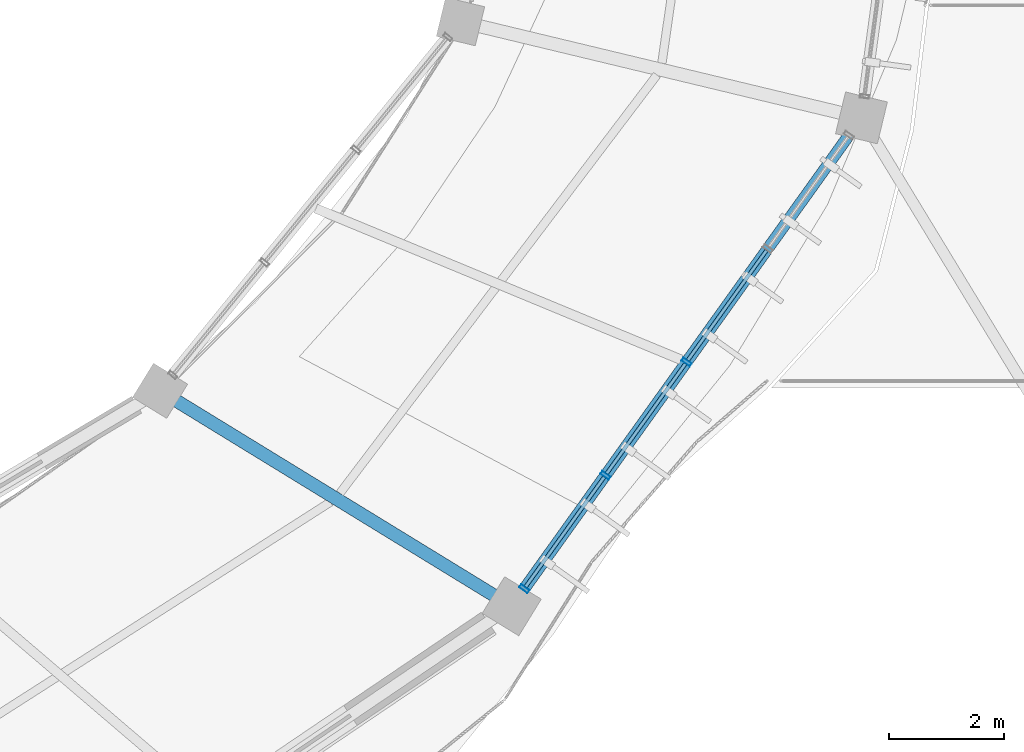
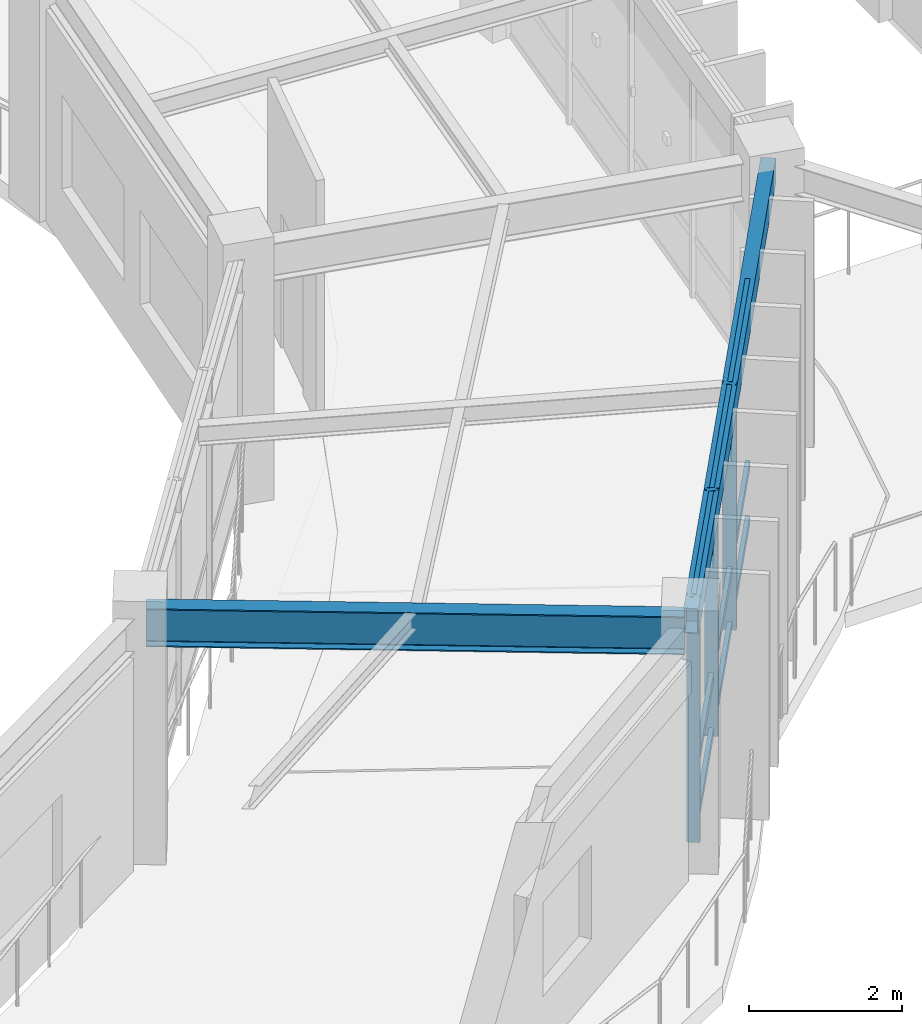
# One storey, part 94 of 152: 12 members, 2 beams, 1 element without a shape of its own.
"""IFC4 building model written with IfcOpenShell, lengths in metres."""

from ifc_helpers import new_model, si_unit, direction, frame, origin, origin_2d, place, context, subcontext, project, spatial, hollow_rectangle, i_section, extrude, material, material_profile, profile_set, type_object, element, aggregate, save


model = new_model("IFC4")

# Units and contexts
model_context = context("Model", 3, precision=1e-05, world=origin(), true_north=direction((0.0, 1.0)))
body_context = subcontext(model_context, "Body", "Model", "MODEL_VIEW")
ifc_project = project(units=[si_unit("LENGTHUNIT", "METRE"), si_unit("AREAUNIT", "SQUARE_METRE"), si_unit("VOLUMEUNIT", "CUBIC_METRE"), si_unit("PLANEANGLEUNIT", "RADIAN"), si_unit("MASSUNIT", "GRAM", prefix="KILO"), si_unit("THERMODYNAMICTEMPERATUREUNIT", "KELVIN"), si_unit("POWERUNIT", "WATT")], contexts=[model_context])

# Site, building, storey
site_placement = place(None, origin())
site = spatial("IfcSite", under=ifc_project, at=site_placement, CompositionType="ELEMENT")
building_placement = place(site_placement, origin())
building = spatial("IfcBuilding", under=site, at=building_placement, Name="Darbajah Civic Hall", CompositionType="ELEMENT")
storey_placement = place(building_placement, frame((0.0, 0.0, 5.39990234375)))
storey = spatial("IfcBuildingStorey", under=building, at=storey_placement, Name="L01", CompositionType="ELEMENT", Elevation=5.39990234375)

# Curtain wall, members
ifc_material_1 = material(Name="Anodised Bronze Aluminium and Low-E Glazing", Category="aluminium")
curtain_wall_type = type_object("IfcCurtainWallType", Name="Unitised Curtain Wall CW-34 9700x3900", PredefinedType="USERDEFINED", material=ifc_material_1)
curtain_wall_placement = place(storey_placement, origin())
curtain_wall = element("IfcCurtainWall", 1, at=curtain_wall_placement, inside=storey, type_object=curtain_wall_type, Name="L01 unitised curtain wall CW-V1O-L01-18", ObjectType="UNITISED CURTAIN WALL", PredefinedType="USERDEFINED")
ifc_material_2 = material(Name="Anodised Bronze Aluminium", Category="aluminium")
ifc_material_profile_1 = material_profile(ifc_material_2, hollow_rectangle(XDim=0.06494140625, YDim=0.179931640625, WallThickness=0.00390625, at=origin_2d()), Name="ALU MULLION 65x180")
ifc_profile_set_1 = profile_set([ifc_material_profile_1], Name="Anodised Bronze Aluminium")
member_type_1 = type_object("IfcMemberType", Name="ALU MULLION 65x180", PredefinedType="MULLION", material=ifc_profile_set_1)
member_1_placement = place(storey_placement, frame((132.80419921875, 74.69287109375, 0.0), z_axis=(0.0, 0.0, 1.0), x_axis=(0.582264874145, 0.812999149039, 0.0)))
member_1 = element("IfcMember", 2, at=member_1_placement, type_object=member_type_1, Name="CW-V1O-L01-18 mullion 1", PredefinedType="MULLION", context=body_context, shape_type="SweptSolid", body=[
    extrude(hollow_rectangle(XDim=0.06494140625, YDim=0.179931640625, WallThickness=0.00390625, at=origin_2d()), origin(), (0.0, 0.0, 1.0), 3.920166015625),
])
member_2_placement = place(storey_placement, frame((134.220947265625, 76.67138671875, 0.0), z_axis=(0.0, 0.0, 1.0), x_axis=(0.582264874145, 0.812999149039, 0.0)))
member_2 = element("IfcMember", 3, at=member_2_placement, type_object=member_type_1, Name="CW-V1O-L01-18 mullion 2", PredefinedType="MULLION", context=body_context, shape_type="SweptSolid", body=[
    extrude(hollow_rectangle(XDim=0.06494140625, YDim=0.179931640625, WallThickness=0.00390625, at=origin_2d()), origin(), (0.0, 0.0, 1.0), 3.920166015625),
])
member_3_placement = place(storey_placement, frame((135.6376953125, 78.64990234375, 0.0), z_axis=(0.0, 0.0, 1.0), x_axis=(0.582264874145, 0.812999149039, 0.0)))
member_3 = element("IfcMember", 4, at=member_3_placement, type_object=member_type_1, Name="CW-V1O-L01-18 mullion 3", PredefinedType="MULLION", context=body_context, shape_type="SweptSolid", body=[
    extrude(hollow_rectangle(XDim=0.06494140625, YDim=0.179931640625, WallThickness=0.00390625, at=origin_2d()), origin(), (0.0, 0.0, 1.0), 3.920166015625),
])
ifc_material_profile_2 = material_profile(ifc_material_2, hollow_rectangle(XDim=0.06494140625, YDim=0.139892578125, WallThickness=0.00341796875, at=origin_2d()), Name="ALU TRANSOM 65x140")
ifc_profile_set_2 = profile_set([ifc_material_profile_2], Name="Anodised Bronze Aluminium")
member_type_2 = type_object("IfcMemberType", Name="ALU TRANSOM 65x140", PredefinedType="USERDEFINED", material=ifc_profile_set_2)
member_4_placement = place(storey_placement, frame((132.825927734375, 74.723388671875, 0.070068359375), z_axis=(0.58226587492, 0.812998432288, 0.0), x_axis=(-0.812998432288, 0.58226587492, 0.0)))
member_4 = element("IfcMember", 5, at=member_4_placement, type_object=member_type_2, Name="CW-V1O-L01-18 transom 1.1", ObjectType="TRANSOM", PredefinedType="USERDEFINED", context=body_context, shape_type="SweptSolid", body=[
    extrude(hollow_rectangle(XDim=0.06494140625, YDim=0.139892578125, WallThickness=0.00341796875, at=origin_2d()), origin(), (0.0, 0.0, 1.0), 2.358642578125),
])
member_5_placement = place(storey_placement, frame((132.825927734375, 74.723388671875, 0.9501953125), z_axis=(0.58226587492, 0.812998432288, 0.0), x_axis=(-0.812998432288, 0.58226587492, 0.0)))
member_5 = element("IfcMember", 6, at=member_5_placement, type_object=member_type_2, Name="CW-V1O-L01-18 transom 1.2", ObjectType="TRANSOM", PredefinedType="USERDEFINED", context=body_context, shape_type="SweptSolid", body=[
    extrude(hollow_rectangle(XDim=0.06494140625, YDim=0.139892578125, WallThickness=0.00341796875, at=origin_2d()), origin(), (0.0, 0.0, 1.0), 2.358642578125),
])
member_6_placement = place(storey_placement, frame((132.825927734375, 74.723388671875, 3.85009765625), z_axis=(0.58226587492, 0.812998432288, 0.0), x_axis=(-0.812998432288, 0.58226587492, 0.0)))
member_6 = element("IfcMember", 7, at=member_6_placement, type_object=member_type_2, Name="CW-V1O-L01-18 transom 1.3", ObjectType="TRANSOM", PredefinedType="USERDEFINED", context=body_context, shape_type="SweptSolid", body=[
    extrude(hollow_rectangle(XDim=0.06494140625, YDim=0.139892578125, WallThickness=0.00341796875, at=origin_2d()), origin(), (0.0, 0.0, 1.0), 2.358642578125),
])
member_7_placement = place(storey_placement, frame((134.242919921875, 76.701904296875, 0.070068359375), z_axis=(0.582197449497, 0.813047433917, 0.0), x_axis=(-0.813047433917, 0.582197449497, 0.0)))
member_7 = element("IfcMember", 8, at=member_7_placement, type_object=member_type_2, Name="CW-V1O-L01-18 transom 2.1", ObjectType="TRANSOM", PredefinedType="USERDEFINED", context=body_context, shape_type="SweptSolid", body=[
    extrude(hollow_rectangle(XDim=0.06494140625, YDim=0.139892578125, WallThickness=0.00341796875, at=origin_2d()), origin(), (0.0, 0.0, 1.0), 2.3583984375),
])
member_8_placement = place(storey_placement, frame((134.242919921875, 76.701904296875, 0.9501953125), z_axis=(0.582197449497, 0.813047433917, 0.0), x_axis=(-0.813047433917, 0.582197449497, 0.0)))
member_8 = element("IfcMember", 9, at=member_8_placement, type_object=member_type_2, Name="CW-V1O-L01-18 transom 2.2", ObjectType="TRANSOM", PredefinedType="USERDEFINED", context=body_context, shape_type="SweptSolid", body=[
    extrude(hollow_rectangle(XDim=0.06494140625, YDim=0.139892578125, WallThickness=0.00341796875, at=origin_2d()), origin(), (0.0, 0.0, 1.0), 2.3583984375),
])
member_9_placement = place(storey_placement, frame((134.242919921875, 76.701904296875, 3.85009765625), z_axis=(0.582197449497, 0.813047433917, 0.0), x_axis=(-0.813047433917, 0.582197449497, 0.0)))
member_9 = element("IfcMember", 10, at=member_9_placement, type_object=member_type_2, Name="CW-V1O-L01-18 transom 2.3", ObjectType="TRANSOM", PredefinedType="USERDEFINED", context=body_context, shape_type="SweptSolid", body=[
    extrude(hollow_rectangle(XDim=0.06494140625, YDim=0.139892578125, WallThickness=0.00341796875, at=origin_2d()), origin(), (0.0, 0.0, 1.0), 2.3583984375),
])
member_10_placement = place(storey_placement, frame((135.65966796875, 78.680419921875, 0.070068359375), z_axis=(0.582197449497, 0.813047433917, 0.0), x_axis=(-0.813047433917, 0.582197449497, 0.0)))
member_10 = element("IfcMember", 11, at=member_10_placement, type_object=member_type_2, Name="CW-V1O-L01-18 transom 3.1", ObjectType="TRANSOM", PredefinedType="USERDEFINED", context=body_context, shape_type="SweptSolid", body=[
    extrude(hollow_rectangle(XDim=0.06494140625, YDim=0.139892578125, WallThickness=0.00341796875, at=origin_2d()), origin(), (0.0, 0.0, 1.0), 2.3583984375),
])
member_11_placement = place(storey_placement, frame((135.65966796875, 78.680419921875, 0.9501953125), z_axis=(0.582197449497, 0.813047433917, 0.0), x_axis=(-0.813047433917, 0.582197449497, 0.0)))
member_11 = element("IfcMember", 12, at=member_11_placement, type_object=member_type_2, Name="CW-V1O-L01-18 transom 3.2", ObjectType="TRANSOM", PredefinedType="USERDEFINED", context=body_context, shape_type="SweptSolid", body=[
    extrude(hollow_rectangle(XDim=0.06494140625, YDim=0.139892578125, WallThickness=0.00341796875, at=origin_2d()), origin(), (0.0, 0.0, 1.0), 2.3583984375),
])
member_12_placement = place(storey_placement, frame((135.65966796875, 78.680419921875, 3.85009765625), z_axis=(0.582197449497, 0.813047433917, 0.0), x_axis=(-0.813047433917, 0.582197449497, 0.0)))
member_12 = element("IfcMember", 13, at=member_12_placement, type_object=member_type_2, Name="CW-V1O-L01-18 transom 3.3", ObjectType="TRANSOM", PredefinedType="USERDEFINED", context=body_context, shape_type="SweptSolid", body=[
    extrude(hollow_rectangle(XDim=0.06494140625, YDim=0.139892578125, WallThickness=0.00341796875, at=origin_2d()), origin(), (0.0, 0.0, 1.0), 2.3583984375),
])
aggregate(curtain_wall, [member_1, member_2, member_3, member_4, member_5, member_6, member_7, member_8, member_9, member_10, member_11, member_12])

# Beams
ifc_material_3 = material(Name="Steel S355JR", Category="steel")
ifc_material_profile_3 = material_profile(ifc_material_3, hollow_rectangle(XDim=0.199951171875, YDim=0.39990234375, WallThickness=0.013916015625, at=origin_2d()), Name="RHS 400x200x14")
ifc_profile_set_3 = profile_set([ifc_material_profile_3], Name="Steel S355JR")
beam_type_1 = type_object("IfcBeamType", Name="RHS 400x200x14", PredefinedType="SPANDREL", material=ifc_profile_set_3)
beam_1_placement = place(storey_placement, frame((132.631103515625, 74.451416015625, 3.72021484375), z_axis=(0.58222165068, 0.813030103674, 0.0), x_axis=(-0.813030103674, 0.58222165068, 0.0)))
element("IfcBeam", 14, at=beam_1_placement, inside=storey, type_object=beam_type_1, Name="L01 beam SP-RHS400", PredefinedType="SPANDREL", context=body_context, shape_type="SweptSolid", body=[
    extrude(hollow_rectangle(XDim=0.199951171875, YDim=0.39990234375, WallThickness=0.013916015625, at=origin_2d()), origin(), (0.0, 0.0, 1.0), 10.327880859375),
])
ifc_material_profile_4 = material_profile(ifc_material_3, i_section(OverallWidth=0.228271484375, OverallDepth=0.607666015625, WebThickness=0.010986328125, FlangeThickness=0.017333984375, FilletRadius=0.0126953125, at=origin_2d()), Name="UB 610x229x113")
ifc_profile_set_4 = profile_set([ifc_material_profile_4], Name="Steel S355JR")
beam_type_2 = type_object("IfcBeamType", Name="UB 610x229x113", PredefinedType="BEAM", material=ifc_profile_set_4)
beam_2_placement = place(storey_placement, frame((126.513916015625, 78.1064453125, 3.6162109375), z_axis=(0.852629661041, -0.522515704178, 0.0), x_axis=(0.522515704178, 0.852629661041, 0.0)))
element("IfcBeam", 15, at=beam_2_placement, inside=storey, type_object=beam_type_2, Name="L01 beam SB-610", PredefinedType="BEAM", context=body_context, shape_type="SweptSolid", body=[
    extrude(i_section(OverallWidth=0.228271484375, OverallDepth=0.607666015625, WebThickness=0.010986328125, FlangeThickness=0.017333984375, FilletRadius=0.0126953125, at=origin_2d()), origin(), (0.0, 0.0, 1.0), 7.039794921875),
])

save(model, "model.ifc")
